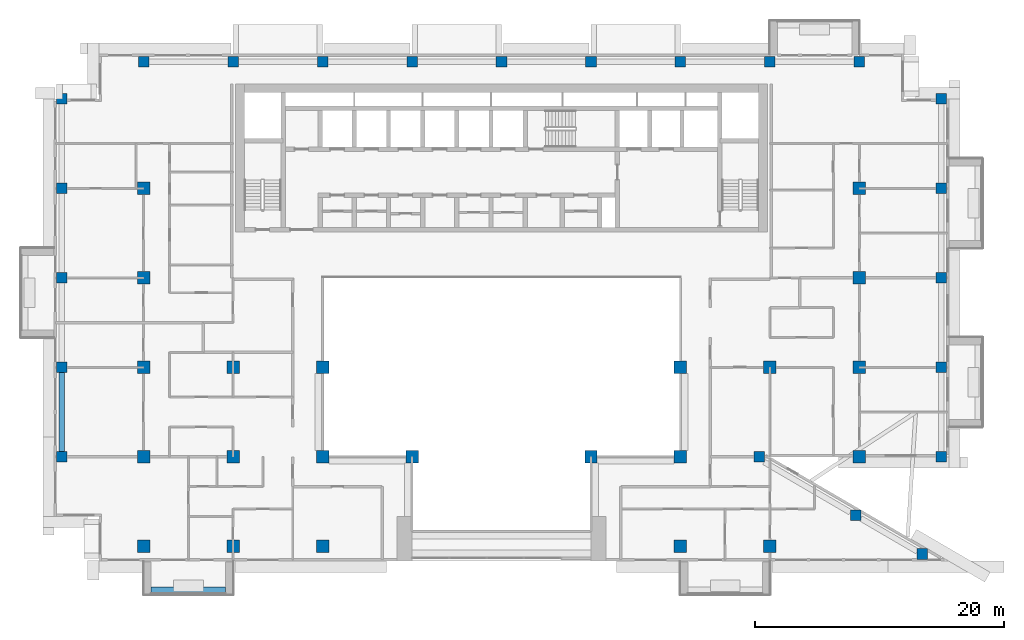
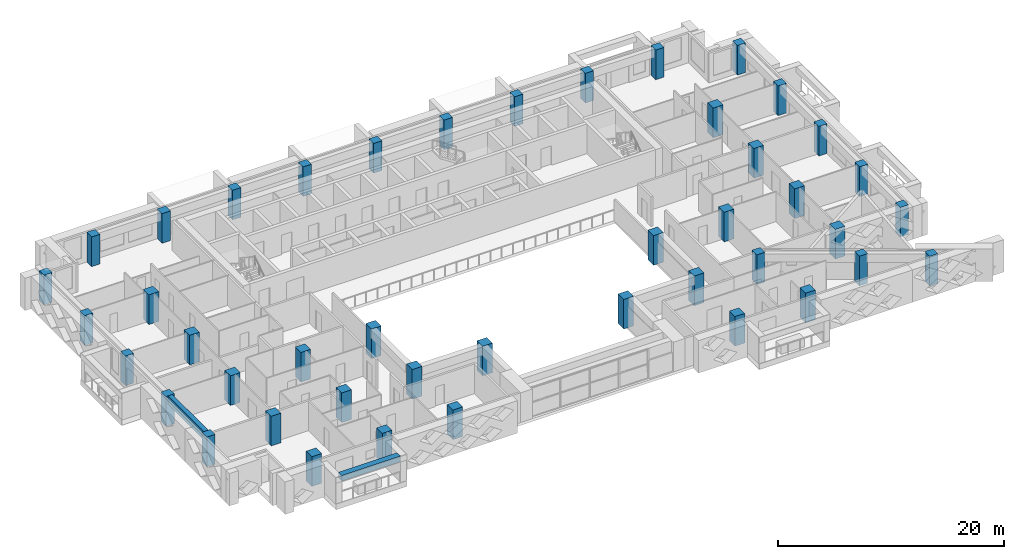
# One storey, part 1 of 19: 44 columns, 2 beams.
"""IFC4 building model written with IfcOpenShell, lengths in metres."""

import ifcopenshell
import ifcopenshell.guid

model = None  # the IFC model being written
_history = None  # IfcOwnerHistory: only IFC2X3 demands one
_inside = {}  # id of a spatial element -> (the spatial element, [elements in it])
_under = {}  # id of a project, library or spatial element -> (it, [spatial elements below it])
_declared = {}  # id of a project -> (the project, [libraries it declares])
_typed = {}  # id of a type object -> (the type object, [elements of that type])
_made_of = {}  # id of a material, layer set ... -> (it, [elements and type objects made of it])


def new_model(schema):
    """Start an empty IFC model of exactly this schema.

    Asked for "IFC4X3", IfcOpenShell would pick the latest addendum, in which some entities
    have other attributes; the version numbers below select the first issue.
    IFC2X3 requires an IfcOwnerHistory on every rooted entity: one is made here for all.
    """
    global model, _history
    if schema == "IFC4X3":
        model = ifcopenshell.file(schema_version=(4, 3, 0, 0))
    else:
        model = ifcopenshell.file(schema=schema)
    _inside.clear()
    _under.clear()
    _declared.clear()
    _typed.clear()
    _made_of.clear()
    _history = None
    if model.schema == "IFC2X3":
        org = make("IfcOrganization", Name="unknown")
        user = make(
            "IfcPersonAndOrganization",
            ThePerson=make("IfcPerson", FamilyName="unknown"),
            TheOrganization=org,
        )
        app = make(
            "IfcApplication",
            ApplicationDeveloper=org,
            Version="unknown",
            ApplicationFullName="unknown",
            ApplicationIdentifier="unknown",
        )
        _history = make(
            "IfcOwnerHistory",
            OwningUser=user,
            OwningApplication=app,
            ChangeAction="ADDED",
            CreationDate=0,
        )
    return model


def make(cls, **values):
    """One entity of the class cls with the attributes given. An attribute that is None is left unset."""
    return model.create_entity(
        cls, **{name: value for name, value in values.items() if value is not None}
    )


def rooted(cls, **values):
    """An entity with a GlobalId (a new one), such as an element, a storey or a relation."""
    return make(cls, GlobalId=ifcopenshell.guid.new(), OwnerHistory=_history, **values)


def si_unit(unit_type, name, prefix=None):
    """IfcSIUnit, for example si_unit("LENGTHUNIT", "METRE", prefix="MILLI")."""
    return make("IfcSIUnit", UnitType=unit_type, Prefix=prefix, Name=name)


def assignment(units):
    """IfcUnitAssignment: the units of a project."""
    return None if units is None else make("IfcUnitAssignment", Units=units)


def point(xyz):
    """IfcCartesianPoint."""
    return None if xyz is None else make("IfcCartesianPoint", Coordinates=xyz)


def direction(xyz):
    """IfcDirection."""
    return None if xyz is None else make("IfcDirection", DirectionRatios=xyz)


def frame(location, z_axis=None, x_axis=None):
    """IfcAxis2Placement3D, a coordinate frame: its origin and axes. An axis left out is left unset."""
    return make(
        "IfcAxis2Placement3D",
        Location=point(location),
        Axis=direction(z_axis),
        RefDirection=direction(x_axis),
    )


def frame_2d(location, x_axis=None):
    """IfcAxis2Placement2D, a coordinate frame in the plane: its origin and x axis."""
    return make(
        "IfcAxis2Placement2D", Location=point(location), RefDirection=direction(x_axis)
    )


def origin():
    """The frame at (0, 0, 0) with its axes left unset."""
    return frame((0.0, 0.0, 0.0))


def origin_2d():
    """The frame at (0, 0) in the plane with its x axis left unset."""
    return frame_2d((0.0, 0.0))


def place(relative_to, where):
    """IfcLocalPlacement: puts the frame where relative to a parent placement (None: the world)."""
    return make(
        "IfcLocalPlacement", PlacementRelTo=relative_to, RelativePlacement=where
    )


def context(
    kind, dimensions, precision=None, world=None, true_north=None, identifier=None
):
    """IfcGeometricRepresentationContext, for example the 3D "Model" context."""
    return make(
        "IfcGeometricRepresentationContext",
        ContextIdentifier=identifier,
        ContextType=kind,
        CoordinateSpaceDimension=dimensions,
        Precision=precision,
        WorldCoordinateSystem=world,
        TrueNorth=true_north,
    )


def subcontext(parent, identifier, kind, view, scale=None):
    """IfcGeometricRepresentationSubContext, for example "Body" below "Model"."""
    return make(
        "IfcGeometricRepresentationSubContext",
        ContextIdentifier=identifier,
        ContextType=kind,
        ParentContext=parent,
        TargetScale=scale,
        TargetView=view,
    )


def project(units=None, contexts=None):
    """IfcProject with its units and contexts."""
    return rooted(
        "IfcProject",
        Name="project",
        RepresentationContexts=contexts,
        UnitsInContext=assignment(units),
    )


def spatial(cls, under=None, at=None, **own):
    """A site, building, storey or space (cls), placed at a placement, below another one or the project."""
    s = rooted(cls, ObjectPlacement=at, **own)
    if under is not None:
        _under.setdefault(under.id(), (under, []))[1].append(s)
    return s


def profile(cls, at=None, kind="AREA", **sizes):
    """A parametric profile (cls). Its sizes go by their IFC names, for example OverallWidth=200.0."""
    return make(cls, ProfileType=kind, Position=at, **sizes)


def rectangle(**sizes):
    """IfcRectangleProfileDef."""
    return profile("IfcRectangleProfileDef", **sizes)


def extrude(swept, where, along, depth):
    """IfcExtrudedAreaSolid: the profile swept, set in the frame where, extruded along a direction by depth."""
    return make(
        "IfcExtrudedAreaSolid",
        SweptArea=swept,
        Position=where,
        ExtrudedDirection=direction(along),
        Depth=depth,
    )


def shape(context_of_items, identifier, shape_type, items):
    """IfcShapeRepresentation: the items that make up one representation, for example the "Body"."""
    return make(
        "IfcShapeRepresentation",
        ContextOfItems=context_of_items,
        RepresentationIdentifier=identifier,
        RepresentationType=shape_type,
        Items=items,
    )


def source(mapping_origin, context_of_items, identifier, shape_type, items):
    """IfcRepresentationMap: a shape defined once, which mapped items show again and again."""
    return make(
        "IfcRepresentationMap",
        MappingOrigin=mapping_origin,
        MappedRepresentation=shape(context_of_items, identifier, shape_type, items),
    )


def transform(
    local_origin,
    x_axis=None,
    y_axis=None,
    z_axis=None,
    scale=None,
    scale2=None,
    scale3=None,
    uniform=True,
):
    """IfcCartesianTransformationOperator3D, or its non-uniform kind. x_axis, y_axis, z_axis: its Axis1, 2, 3."""
    if uniform:
        return make(
            "IfcCartesianTransformationOperator3D",
            Axis1=direction(x_axis),
            Axis2=direction(y_axis),
            LocalOrigin=point(local_origin),
            Scale=scale,
            Axis3=direction(z_axis),
        )
    return make(
        "IfcCartesianTransformationOperator3DnonUniform",
        Axis1=direction(x_axis),
        Axis2=direction(y_axis),
        LocalOrigin=point(local_origin),
        Scale=scale,
        Axis3=direction(z_axis),
        Scale2=scale2,
        Scale3=scale3,
    )


def mapped(mapping_source, mapping_target):
    """IfcMappedItem: shows the shape of a source again, moved by a transform."""
    return make(
        "IfcMappedItem", MappingSource=mapping_source, MappingTarget=mapping_target
    )


def material(Name=None, Category=None):
    """IfcMaterial."""
    return make("IfcMaterial", Name=Name, Category=Category)


def material_profile(
    of_material, cross_section, Name=None, Category=None, Priority=None
):
    """IfcMaterialProfile: a cross section and its material."""
    return make(
        "IfcMaterialProfile",
        Name=Name,
        Material=of_material,
        Profile=cross_section,
        Priority=Priority,
        Category=Category,
    )


def profile_set(profiles, Name=None, composite=None):
    """IfcMaterialProfileSet."""
    return make(
        "IfcMaterialProfileSet",
        Name=Name,
        MaterialProfiles=profiles,
        CompositeProfile=composite,
    )


def made_of(thing, what):
    """Note that an element or type object is made of a material, layer set ...; save() writes the relation."""
    if what is not None:
        _made_of.setdefault(what.id(), (what, []))[1].append(thing)
    return thing


def type_object(cls, material=None, **own):
    """A type object (cls), such as IfcWallType, which elements share."""
    return made_of(rooted(cls, **own), material)


def element(
    cls,
    number,
    at=None,
    inside=None,
    cuts=None,
    type_object=None,
    material=None,
    context=None,
    identifier="Body",
    shape_type=None,
    held_by="IfcProductDefinitionShape",
    body=None,
    shapes=None,
    **own,
):
    """One element of the class cls, such as IfcWall. Its Tag is "e" and its number.

    at: its placement. inside: the storey or other place that contains it. cuts: it is an
    opening in that element (IfcRelVoidsElement). A single representation is given by context,
    identifier, shape_type and body (its items); several are given by shapes. held_by: the class
    of the entity that holds the representations. save() writes the other relations.
    """
    e = rooted(cls, Tag="e%d" % number, ObjectPlacement=at, **own)
    if body is not None:
        shapes = [shape(context, identifier, shape_type, body)]
    if shapes is not None:
        e.Representation = make(held_by, Representations=shapes)
    if inside is not None:
        _inside.setdefault(inside.id(), (inside, []))[1].append(e)
    if cuts is not None:
        rooted(
            "IfcRelVoidsElement", RelatingBuildingElement=cuts, RelatedOpeningElement=e
        )
    if type_object is not None:
        _typed.setdefault(type_object.id(), (type_object, []))[1].append(e)
    return made_of(e, material)


def aggregate(whole, parts):
    """IfcRelAggregates: a whole, such as a stair, and the parts it consists of."""
    return rooted("IfcRelAggregates", RelatingObject=whole, RelatedObjects=parts)


def save(model, path):
    """Write the relations noted so far, then the file.

    IfcRelAggregates (storeys below a building ...), IfcRelContainedInSpatialStructure (elements
    in a storey), IfcRelDefinesByType, IfcRelAssociatesMaterial and IfcRelDeclares: one each for
    every whole, place, type object, material and project.
    """
    for whole, parts in _under.values():
        aggregate(whole, parts)
    for where, things in _inside.values():
        rooted(
            "IfcRelContainedInSpatialStructure",
            RelatedElements=things,
            RelatingStructure=where,
        )
    for kind, things in _typed.values():
        rooted("IfcRelDefinesByType", RelatedObjects=things, RelatingType=kind)
    for what, things in _made_of.values():
        rooted("IfcRelAssociatesMaterial", RelatedObjects=things, RelatingMaterial=what)
    for by, libraries in _declared.values():
        rooted("IfcRelDeclares", RelatingContext=by, RelatedDefinitions=libraries)
    model.write(path)


model = new_model("IFC4")

# Units and contexts
model_context = context("Model", 3, precision=1e-05, world=origin(), true_north=direction((0.0, 1.0)))
body_context = subcontext(model_context, "Body", "Model", "MODEL_VIEW")
ifc_project = project(units=[si_unit("LENGTHUNIT", "METRE"), si_unit("AREAUNIT", "SQUARE_METRE"), si_unit("VOLUMEUNIT", "CUBIC_METRE"), si_unit("PLANEANGLEUNIT", "RADIAN"), si_unit("MASSUNIT", "GRAM", prefix="KILO")], contexts=[model_context])

# Site, building, storey
site_placement = place(None, origin())
site = spatial("IfcSite", under=ifc_project, at=site_placement, CompositionType="ELEMENT")
building_placement = place(site_placement, origin())
building = spatial("IfcBuilding", under=site, at=building_placement, Name="Saffron Iwan Residences", CompositionType="ELEMENT")
storey_placement = place(building_placement, frame((0.0, 0.0, 160.5)))
storey = spatial("IfcBuildingStorey", under=building, at=storey_placement, Name="L42", CompositionType="ELEMENT", Elevation=160.5)

# Columns
ifc_material_1 = material(Name="Concrete C50/60", Category="concrete")
ifc_material_profile_1 = material_profile(ifc_material_1, rectangle(XDim=0.85009765625, YDim=0.85009765625, at=origin_2d()), Name="RC 850x850")
ifc_profile_set_1 = profile_set([ifc_material_profile_1], Name="Concrete C50/60")
column_type_1 = type_object("IfcColumnType", Name="COL RC 850x850 C50/60 3200 HIGH", PredefinedType="COLUMN", material=ifc_profile_set_1)
shared_shape_1 = source(origin(), body_context, "Body", "SweptSolid", [
    extrude(rectangle(XDim=0.85009765625, YDim=0.85009765625, at=origin_2d()), origin(), (0.0, 0.0, 1.0), 3.199951171875),
])
for number, where, z_axis, x_axis, name in (
    (1, (84.276123046875, 40.17431640625, 0.0), (0.0, 0.0, 1.0), (1.0, 0.0, 0.0), "Column C045"),
    (2, (78.897705078125, 43.28173828125, 0.0), (0.0, 0.0, 1.0), (1.0, 0.0, 0.0), "Column C058"),
    (3, (15.0, 48.0, 0.0), (0.0, 0.0, 1.0), (1.0, 0.0, 0.0), "Column C061"),
    (4, (71.14990234375, 48.0, 0.0), (0.0, 0.0, 1.0), (1.0, 0.0, 0.0), "Column C070"),
    (5, (85.800048828125, 48.0, 0.0), (0.0, 0.0, 1.0), (1.0, 0.0, 0.0), "Column C074"),
    (6, (15.0, 55.199951171875, 0.0), (0.0, 0.0, 1.0), (1.0, 0.0, 0.0), "Column C077"),
    (7, (85.800048828125, 55.199951171875, 0.0), (0.0, 0.0, 1.0), (1.0, 0.0, 0.0), "Column C086"),
    (8, (15.0, 62.39990234375, 0.0), (0.0, 0.0, 1.0), (1.0, 0.0, 0.0), "Column C089"),
    (9, (85.800048828125, 62.39990234375, 0.0), (0.0, 0.0, 1.0), (1.0, 0.0, 0.0), "Column C094"),
    (10, (15.0, 69.60009765625, 0.0), (0.0, 0.0, 1.0), (1.0, 0.0, 0.0), "Column C097"),
    (11, (85.800048828125, 69.60009765625, 0.0), (0.0, 0.0, 1.0), (1.0, 0.0, 0.0), "Column C102"),
    (12, (15.0, 76.800048828125, 0.0), (0.0, 0.0, 1.0), (1.0, 0.0, 0.0), "Column C105"),
    (13, (85.800048828125, 76.800048828125, 0.0), (0.0, 0.0, 1.0), (1.0, 0.0, 0.0), "Column C110"),
    (14, (21.60009765625, 79.800048828125, 0.0), (0.0, 0.0, 1.0), (1.0, 0.0, 0.0), "Column C113"),
    (15, (28.800048828125, 79.800048828125, 0.0), (0.0, 0.0, 1.0), (1.0, 0.0, 0.0), "Column C115"),
    (16, (36.0, 79.800048828125, 0.0), (0.0, 0.0, 1.0), (1.0, 0.0, 0.0), "Column C116"),
    (17, (43.199951171875, 79.800048828125, 0.0), (0.0, 0.0, 1.0), (1.0, 0.0, 0.0), "Column C117"),
    (18, (50.39990234375, 79.800048828125, 0.0), (0.0, 0.0, 1.0), (1.0, 0.0, 0.0), "Column C118"),
    (19, (57.60009765625, 79.800048828125, 0.0), (0.0, 0.0, 1.0), (1.0, 0.0, 0.0), "Column C119"),
    (20, (64.800048828125, 79.800048828125, 0.0), (0.0, 0.0, 1.0), (1.0, 0.0, 0.0), "Column C120"),
    (21, (72.0, 79.800048828125, 0.0), (0.0, 0.0, 1.0), (1.0, 0.0, 0.0), "Column C121"),
    (22, (79.199951171875, 79.800048828125, 0.0), (0.0, 0.0, 1.0), (1.0, 0.0, 0.0), "Column C123"),
):
    element("IfcColumn", number, at=place(storey_placement, frame(where, z_axis=z_axis, x_axis=x_axis)), inside=storey, type_object=column_type_1, Name=name, PredefinedType="COLUMN", context=body_context, shape_type="MappedRepresentation", body=[
        mapped(shared_shape_1, transform((0.0, 0.0, 0.0))),
    ])
ifc_material_profile_2 = material_profile(ifc_material_1, rectangle(XDim=1.0, YDim=1.0, at=origin_2d()), Name="RC 1000x1000")
ifc_profile_set_2 = profile_set([ifc_material_profile_2], Name="Concrete C50/60")
column_type_2 = type_object("IfcColumnType", Name="COL RC 1000x1000 C50/60 3200 HIGH", PredefinedType="COLUMN", material=ifc_profile_set_2)
shared_shape_2 = source(origin(), body_context, "Body", "SweptSolid", [
    extrude(rectangle(XDim=1.0, YDim=1.0, at=origin_2d()), origin(), (0.0, 0.0, 1.0), 3.199951171875),
])
for number, where, z_axis, x_axis, name in (
    (23, (21.60009765625, 40.800048828125, 0.0), (0.0, 0.0, 1.0), (1.0, 0.0, 0.0), "Column C049"),
    (24, (28.800048828125, 40.800048828125, 0.0), (0.0, 0.0, 1.0), (1.0, 0.0, 0.0), "Column C051"),
    (25, (36.0, 40.800048828125, 0.0), (0.0, 0.0, 1.0), (1.0, 0.0, 0.0), "Column C052"),
    (26, (64.800048828125, 40.800048828125, 0.0), (0.0, 0.0, 1.0), (1.0, 0.0, 0.0), "Column C055"),
    (27, (72.0, 40.800048828125, 0.0), (0.0, 0.0, 1.0), (1.0, 0.0, 0.0), "Column C056"),
    (28, (21.60009765625, 48.0, 0.0), (0.0, 0.0, 1.0), (1.0, 0.0, 0.0), "Column C063"),
    (29, (28.800048828125, 48.0, 0.0), (0.0, 0.0, 1.0), (1.0, 0.0, 0.0), "Column C064"),
    (30, (36.0, 48.0, 0.0), (0.0, 0.0, 1.0), (1.0, 0.0, 0.0), "Column C065"),
    (31, (43.199951171875, 48.0, 0.0), (0.0, 0.0, 1.0), (1.0, 0.0, 0.0), "Column C066"),
    (32, (57.60009765625, 48.0, 0.0), (0.0, 0.0, 1.0), (1.0, 0.0, 0.0), "Column C068"),
    (33, (64.800048828125, 48.0, 0.0), (0.0, 0.0, 1.0), (1.0, 0.0, 0.0), "Column C069"),
    (34, (79.199951171875, 48.0, 0.0), (0.0, 0.0, 1.0), (1.0, 0.0, 0.0), "Column C072"),
    (35, (21.60009765625, 55.199951171875, 0.0), (0.0, 0.0, 1.0), (1.0, 0.0, 0.0), "Column C079"),
    (36, (28.800048828125, 55.199951171875, 0.0), (0.0, 0.0, 1.0), (1.0, 0.0, 0.0), "Column C080"),
    (37, (36.0, 55.199951171875, 0.0), (0.0, 0.0, 1.0), (1.0, 0.0, 0.0), "Column C081"),
    (38, (64.800048828125, 55.199951171875, 0.0), (0.0, 0.0, 1.0), (1.0, 0.0, 0.0), "Column C082"),
    (39, (72.0, 55.199951171875, 0.0), (0.0, 0.0, 1.0), (1.0, 0.0, 0.0), "Column C083"),
    (40, (79.199951171875, 55.199951171875, 0.0), (0.0, 0.0, 1.0), (1.0, 0.0, 0.0), "Column C084"),
    (41, (21.60009765625, 62.39990234375, 0.0), (0.0, 0.0, 1.0), (1.0, 0.0, 0.0), "Column C091"),
    (42, (79.199951171875, 62.39990234375, 0.0), (0.0, 0.0, 1.0), (1.0, 0.0, 0.0), "Column C092"),
    (43, (21.60009765625, 69.60009765625, 0.0), (0.0, 0.0, 1.0), (1.0, 0.0, 0.0), "Column C099"),
    (44, (79.199951171875, 69.60009765625, 0.0), (0.0, 0.0, 1.0), (1.0, 0.0, 0.0), "Column C100"),
):
    element("IfcColumn", number, at=place(storey_placement, frame(where, z_axis=z_axis, x_axis=x_axis)), inside=storey, type_object=column_type_2, Name=name, PredefinedType="COLUMN", context=body_context, shape_type="MappedRepresentation", body=[
        mapped(shared_shape_2, transform((0.0, 0.0, 0.0))),
    ])

# Beams
ifc_material_profile_3 = material_profile(ifc_material_1, rectangle(XDim=0.449951171875, YDim=0.89990234375, at=origin_2d()), Name="RC 450x900")
ifc_profile_set_3 = profile_set([ifc_material_profile_3], Name="Concrete C50/60")
beam_type_1 = type_object("IfcBeamType", Name="SPANDREL BEAM RC 450x900 C50/60 TOP 3200", PredefinedType="SPANDREL", material=ifc_profile_set_3)
shared_shape_3 = source(origin(), body_context, "Body", "SweptSolid", [
    extrude(rectangle(XDim=0.449951171875, YDim=0.89990234375, at=origin_2d()), origin(), (0.0, 0.0, 1.0), 6.349853515625),
])
beam_1_placement = place(storey_placement, frame((15.0, 48.425048828125, 2.75), z_axis=(0.0, 1.0, 0.0), x_axis=(-1.0, 0.0, 0.0)))
element("IfcBeam", 45, at=beam_1_placement, inside=storey, type_object=beam_type_1, Name="Spandrel beam", PredefinedType="SPANDREL", context=body_context, shape_type="MappedRepresentation", body=[
    mapped(shared_shape_3, transform((0.0, 0.0, 0.0))),
])
ifc_material_2 = material(Name="Concrete C50/60 white painted", Category="concrete")
ifc_material_profile_4 = material_profile(ifc_material_2, rectangle(XDim=0.60009765625, YDim=0.60009765625, at=origin_2d()), Name="BALCONY FASCIA BEAM 600 x 600")
ifc_profile_set_4 = profile_set([ifc_material_profile_4], Name="Concrete C50/60 white painted")
beam_type_2 = type_object("IfcBeamType", Name="BALCONY FASCIA BEAM 600 x 600", PredefinedType="BEAM", material=ifc_profile_set_4)
shared_shape_4 = source(origin(), body_context, "Body", "SweptSolid", [
    extrude(rectangle(XDim=0.60009765625, YDim=0.60009765625, at=origin_2d()), origin(), (0.0, 0.0, 1.0), 6.0),
])
beam_2_placement = place(storey_placement, frame((22.199951171875, 37.199951171875, 2.550048828125), z_axis=(1.0, 0.0, 0.0), x_axis=(0.0, 1.0, 0.0)))
element("IfcBeam", 46, at=beam_2_placement, inside=storey, type_object=beam_type_2, Name="Balcony fascia beam L42 11-0", PredefinedType="BEAM", context=body_context, shape_type="MappedRepresentation", body=[
    mapped(shared_shape_4, transform((0.0, 0.0, 0.0))),
])

save(model, "model.ifc")
